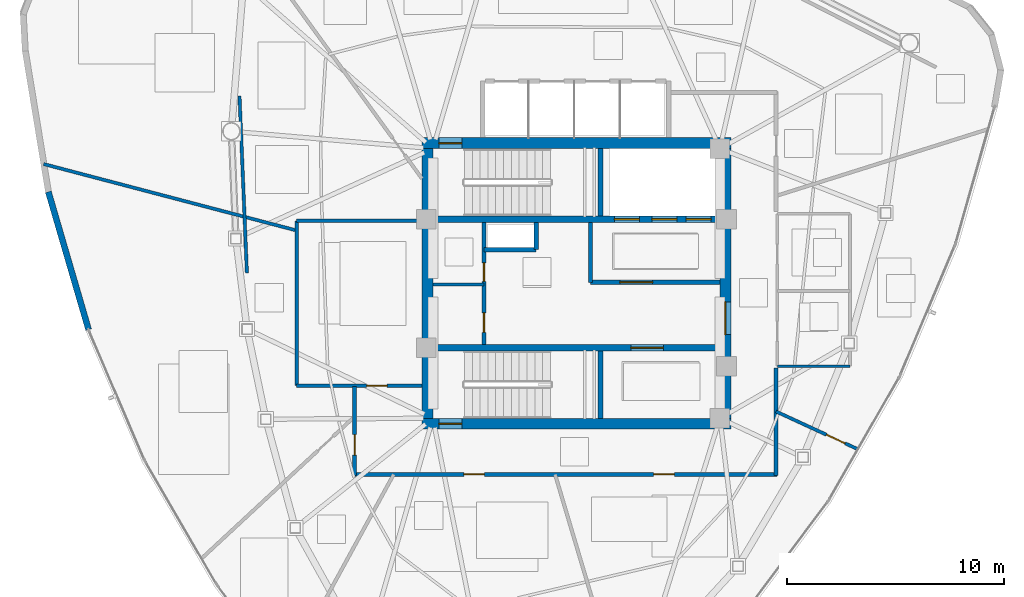
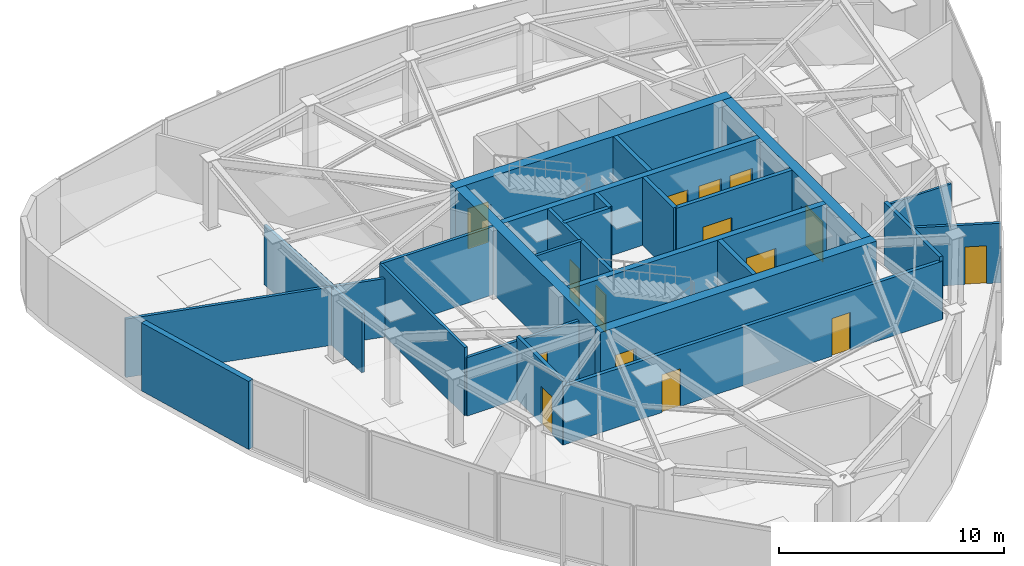
# One storey, part 8 of 12: 25 walls, 15 doors, 15 openings.
"""IFC4 building model written with IfcOpenShell, lengths in metres."""

import ifcopenshell
import ifcopenshell.guid

model = None  # the IFC model being written
_history = None  # IfcOwnerHistory: only IFC2X3 demands one
_inside = {}  # id of a spatial element -> (the spatial element, [elements in it])
_under = {}  # id of a project, library or spatial element -> (it, [spatial elements below it])
_declared = {}  # id of a project -> (the project, [libraries it declares])
_typed = {}  # id of a type object -> (the type object, [elements of that type])
_made_of = {}  # id of a material, layer set ... -> (it, [elements and type objects made of it])


def new_model(schema):
    """Start an empty IFC model of exactly this schema.

    Asked for "IFC4X3", IfcOpenShell would pick the latest addendum, in which some entities
    have other attributes; the version numbers below select the first issue.
    IFC2X3 requires an IfcOwnerHistory on every rooted entity: one is made here for all.
    """
    global model, _history
    if schema == "IFC4X3":
        model = ifcopenshell.file(schema_version=(4, 3, 0, 0))
    else:
        model = ifcopenshell.file(schema=schema)
    _inside.clear()
    _under.clear()
    _declared.clear()
    _typed.clear()
    _made_of.clear()
    _history = None
    if model.schema == "IFC2X3":
        org = make("IfcOrganization", Name="unknown")
        user = make(
            "IfcPersonAndOrganization",
            ThePerson=make("IfcPerson", FamilyName="unknown"),
            TheOrganization=org,
        )
        app = make(
            "IfcApplication",
            ApplicationDeveloper=org,
            Version="unknown",
            ApplicationFullName="unknown",
            ApplicationIdentifier="unknown",
        )
        _history = make(
            "IfcOwnerHistory",
            OwningUser=user,
            OwningApplication=app,
            ChangeAction="ADDED",
            CreationDate=0,
        )
    return model


def make(cls, **values):
    """One entity of the class cls with the attributes given. An attribute that is None is left unset."""
    return model.create_entity(
        cls, **{name: value for name, value in values.items() if value is not None}
    )


def rooted(cls, **values):
    """An entity with a GlobalId (a new one), such as an element, a storey or a relation."""
    return make(cls, GlobalId=ifcopenshell.guid.new(), OwnerHistory=_history, **values)


def si_unit(unit_type, name, prefix=None):
    """IfcSIUnit, for example si_unit("LENGTHUNIT", "METRE", prefix="MILLI")."""
    return make("IfcSIUnit", UnitType=unit_type, Prefix=prefix, Name=name)


def assignment(units):
    """IfcUnitAssignment: the units of a project."""
    return None if units is None else make("IfcUnitAssignment", Units=units)


def point(xyz):
    """IfcCartesianPoint."""
    return None if xyz is None else make("IfcCartesianPoint", Coordinates=xyz)


def direction(xyz):
    """IfcDirection."""
    return None if xyz is None else make("IfcDirection", DirectionRatios=xyz)


def frame(location, z_axis=None, x_axis=None):
    """IfcAxis2Placement3D, a coordinate frame: its origin and axes. An axis left out is left unset."""
    return make(
        "IfcAxis2Placement3D",
        Location=point(location),
        Axis=direction(z_axis),
        RefDirection=direction(x_axis),
    )


def frame_2d(location, x_axis=None):
    """IfcAxis2Placement2D, a coordinate frame in the plane: its origin and x axis."""
    return make(
        "IfcAxis2Placement2D", Location=point(location), RefDirection=direction(x_axis)
    )


def origin():
    """The frame at (0, 0, 0) with its axes left unset."""
    return frame((0.0, 0.0, 0.0))


def place(relative_to, where):
    """IfcLocalPlacement: puts the frame where relative to a parent placement (None: the world)."""
    return make(
        "IfcLocalPlacement", PlacementRelTo=relative_to, RelativePlacement=where
    )


def context(
    kind, dimensions, precision=None, world=None, true_north=None, identifier=None
):
    """IfcGeometricRepresentationContext, for example the 3D "Model" context."""
    return make(
        "IfcGeometricRepresentationContext",
        ContextIdentifier=identifier,
        ContextType=kind,
        CoordinateSpaceDimension=dimensions,
        Precision=precision,
        WorldCoordinateSystem=world,
        TrueNorth=true_north,
    )


def subcontext(parent, identifier, kind, view, scale=None):
    """IfcGeometricRepresentationSubContext, for example "Body" below "Model"."""
    return make(
        "IfcGeometricRepresentationSubContext",
        ContextIdentifier=identifier,
        ContextType=kind,
        ParentContext=parent,
        TargetScale=scale,
        TargetView=view,
    )


def project(units=None, contexts=None):
    """IfcProject with its units and contexts."""
    return rooted(
        "IfcProject",
        Name="project",
        RepresentationContexts=contexts,
        UnitsInContext=assignment(units),
    )


def spatial(cls, under=None, at=None, **own):
    """A site, building, storey or space (cls), placed at a placement, below another one or the project."""
    s = rooted(cls, ObjectPlacement=at, **own)
    if under is not None:
        _under.setdefault(under.id(), (under, []))[1].append(s)
    return s


def profile(cls, at=None, kind="AREA", **sizes):
    """A parametric profile (cls). Its sizes go by their IFC names, for example OverallWidth=200.0."""
    return make(cls, ProfileType=kind, Position=at, **sizes)


def rectangle(**sizes):
    """IfcRectangleProfileDef."""
    return profile("IfcRectangleProfileDef", **sizes)


def extrude(swept, where, along, depth):
    """IfcExtrudedAreaSolid: the profile swept, set in the frame where, extruded along a direction by depth."""
    return make(
        "IfcExtrudedAreaSolid",
        SweptArea=swept,
        Position=where,
        ExtrudedDirection=direction(along),
        Depth=depth,
    )


def shape(context_of_items, identifier, shape_type, items):
    """IfcShapeRepresentation: the items that make up one representation, for example the "Body"."""
    return make(
        "IfcShapeRepresentation",
        ContextOfItems=context_of_items,
        RepresentationIdentifier=identifier,
        RepresentationType=shape_type,
        Items=items,
    )


def material(Name=None, Category=None):
    """IfcMaterial."""
    return make("IfcMaterial", Name=Name, Category=Category)


def layer(
    of_material, thickness, ventilated=None, Name=None, Category=None, Priority=None
):
    """IfcMaterialLayer: one layer of a wall or slab, of a material (None: an air gap)."""
    return make(
        "IfcMaterialLayer",
        Material=of_material,
        LayerThickness=thickness,
        IsVentilated=ventilated,
        Name=Name,
        Category=Category,
        Priority=Priority,
    )


def layer_set(layers, Name=None):
    """IfcMaterialLayerSet."""
    return make("IfcMaterialLayerSet", MaterialLayers=layers, LayerSetName=Name)


def made_of(thing, what):
    """Note that an element or type object is made of a material, layer set ...; save() writes the relation."""
    if what is not None:
        _made_of.setdefault(what.id(), (what, []))[1].append(thing)
    return thing


def type_object(cls, material=None, **own):
    """A type object (cls), such as IfcWallType, which elements share."""
    return made_of(rooted(cls, **own), material)


def element(
    cls,
    number,
    at=None,
    inside=None,
    cuts=None,
    type_object=None,
    material=None,
    context=None,
    identifier="Body",
    shape_type=None,
    held_by="IfcProductDefinitionShape",
    body=None,
    shapes=None,
    **own,
):
    """One element of the class cls, such as IfcWall. Its Tag is "e" and its number.

    at: its placement. inside: the storey or other place that contains it. cuts: it is an
    opening in that element (IfcRelVoidsElement). A single representation is given by context,
    identifier, shape_type and body (its items); several are given by shapes. held_by: the class
    of the entity that holds the representations. save() writes the other relations.
    """
    e = rooted(cls, Tag="e%d" % number, ObjectPlacement=at, **own)
    if body is not None:
        shapes = [shape(context, identifier, shape_type, body)]
    if shapes is not None:
        e.Representation = make(held_by, Representations=shapes)
    if inside is not None:
        _inside.setdefault(inside.id(), (inside, []))[1].append(e)
    if cuts is not None:
        rooted(
            "IfcRelVoidsElement", RelatingBuildingElement=cuts, RelatedOpeningElement=e
        )
    if type_object is not None:
        _typed.setdefault(type_object.id(), (type_object, []))[1].append(e)
    return made_of(e, material)


def fill(opening, filler):
    """IfcRelFillsElement: the door or window that sits in an opening."""
    return rooted(
        "IfcRelFillsElement",
        RelatingOpeningElement=opening,
        RelatedBuildingElement=filler,
    )


def aggregate(whole, parts):
    """IfcRelAggregates: a whole, such as a stair, and the parts it consists of."""
    return rooted("IfcRelAggregates", RelatingObject=whole, RelatedObjects=parts)


def save(model, path):
    """Write the relations noted so far, then the file.

    IfcRelAggregates (storeys below a building ...), IfcRelContainedInSpatialStructure (elements
    in a storey), IfcRelDefinesByType, IfcRelAssociatesMaterial and IfcRelDeclares: one each for
    every whole, place, type object, material and project.
    """
    for whole, parts in _under.values():
        aggregate(whole, parts)
    for where, things in _inside.values():
        rooted(
            "IfcRelContainedInSpatialStructure",
            RelatedElements=things,
            RelatingStructure=where,
        )
    for kind, things in _typed.values():
        rooted("IfcRelDefinesByType", RelatedObjects=things, RelatingType=kind)
    for what, things in _made_of.values():
        rooted("IfcRelAssociatesMaterial", RelatedObjects=things, RelatingMaterial=what)
    for by, libraries in _declared.values():
        rooted("IfcRelDeclares", RelatingContext=by, RelatedDefinitions=libraries)
    model.write(path)


model = new_model("IFC4")

# Units and contexts
model_context = context("Model", 3, precision=1e-05, world=origin(), true_north=direction((0.0, 1.0)))
body_context = subcontext(model_context, "Body", "Model", "MODEL_VIEW")
ifc_project = project(units=[si_unit("LENGTHUNIT", "METRE"), si_unit("AREAUNIT", "SQUARE_METRE"), si_unit("VOLUMEUNIT", "CUBIC_METRE"), si_unit("PLANEANGLEUNIT", "RADIAN"), si_unit("MASSUNIT", "GRAM", prefix="KILO")], contexts=[model_context])

# Site, building, storey
site_placement = place(None, origin())
site = spatial("IfcSite", under=ifc_project, at=site_placement, CompositionType="ELEMENT")
building_placement = place(site_placement, origin())
building = spatial("IfcBuilding", under=site, at=building_placement, Name="Tavelor Broadcast Tower", CompositionType="ELEMENT")
storey_placement = place(building_placement, frame((0.0, 0.0, 281.5)))
storey = spatial("IfcBuildingStorey", under=building, at=storey_placement, Name="L67", CompositionType="ELEMENT", Elevation=281.5)

# Wall, opening, door
ifc_material_1 = material(Name="Concrete C50/60", Category="concrete")
ifc_layer_1 = layer(ifc_material_1, 0.5)
ifc_layer_set_1 = layer_set([ifc_layer_1], Name="Concrete C50/60")
wall_type_1 = type_object("IfcWallType", Name="Core Shear Wall 500 mm", PredefinedType="SHEAR", material=ifc_layer_set_1)
wall_1_placement = place(storey_placement, frame((42.89990234375, 51.449951171875, 0.0), z_axis=(0.0, 0.0, 1.0), x_axis=(1.0, 0.0, 0.0)))
wall_1 = element("IfcWall", 1, at=wall_1_placement, inside=storey, type_object=wall_type_1, Name="L67 Central Core Shear Wall N", PredefinedType="SHEAR", context=body_context, shape_type="SweptSolid", body=[
    extrude(rectangle(XDim=14.2001953125, YDim=0.5, at=frame_2d((7.10009765625, 0.0))), origin(), (0.0, 0.0, 1.0), 3.699951171875),
])
opening_1_placement = place(wall_1_placement, frame((0.780029296875, 0.0, 0.0)))
opening_1 = element("IfcOpeningElement", 2, at=opening_1_placement, cuts=wall_1, Name="Opening DR11", PredefinedType="OPENING", context=body_context, shape_type="SweptSolid", body=[
    extrude(rectangle(XDim=1.050048828125, YDim=2.199951171875, at=frame_2d((0.52490234375, 1.10009765625))), frame((0.0, 0.260009765625, 0.0), z_axis=(0.0, -1.0, 0.0), x_axis=(1.0, 0.0, 0.0)), (0.0, 0.0, 1.0), 0.52001953125),
])
ifc_material_2 = material(Name="Steel S355", Category="steel")
door_type_1 = type_object("IfcDoorType", Name="Stair Core Fire Escape Door 1050x2200", OperationType="NOTDEFINED", PredefinedType="DOOR", material=ifc_material_2)
door_1_placement = place(opening_1_placement, origin())
door_1 = element("IfcDoor", 3, at=door_1_placement, inside=storey, type_object=door_type_1, Name="L67 Stair ST1 Protected Exit Door", OperationType="SINGLE_SWING_LEFT", OverallHeight=2.199951171875, OverallWidth=1.050048828125, PredefinedType="DOOR", context=body_context, shape_type="SweptSolid", body=[
    extrude(rectangle(XDim=1.050048828125, YDim=2.199951171875, at=frame_2d((0.52490234375, 1.10009765625))), frame((0.0, 0.02490234375, 0.0), z_axis=(0.0, -1.0, 0.0), x_axis=(1.0, 0.0, 0.0)), (0.0, 0.0, 1.0), 0.050048828125),
])
fill(opening_1, door_1)

wall_2_placement = place(storey_placement, frame((42.89990234375, 38.550048828125, 0.0), z_axis=(0.0, 0.0, 1.0), x_axis=(1.0, 0.0, 0.0)))
wall_2 = element("IfcWall", 4, at=wall_2_placement, inside=storey, type_object=wall_type_1, Name="L67 Central Core Shear Wall S", PredefinedType="SHEAR", context=body_context, shape_type="SweptSolid", body=[
    extrude(rectangle(XDim=14.2001953125, YDim=0.5, at=frame_2d((7.10009765625, 0.0))), origin(), (0.0, 0.0, 1.0), 3.699951171875),
])
opening_2_placement = place(wall_2_placement, frame((0.780029296875, 0.0, 0.0)))
opening_2 = element("IfcOpeningElement", 5, at=opening_2_placement, cuts=wall_2, Name="Opening DR11", PredefinedType="OPENING", context=body_context, shape_type="SweptSolid", body=[
    extrude(rectangle(XDim=1.050048828125, YDim=2.199951171875, at=frame_2d((0.52490234375, 1.10009765625))), frame((0.0, 0.260009765625, 0.0), z_axis=(0.0, -1.0, 0.0), x_axis=(1.0, 0.0, 0.0)), (0.0, 0.0, 1.0), 0.52001953125),
])
door_2_placement = place(opening_2_placement, origin())
door_2 = element("IfcDoor", 6, at=door_2_placement, inside=storey, type_object=door_type_1, Name="L67 Stair ST2 Protected Exit Door", OperationType="SINGLE_SWING_RIGHT", OverallHeight=2.199951171875, OverallWidth=1.050048828125, PredefinedType="DOOR", context=body_context, shape_type="SweptSolid", body=[
    extrude(rectangle(XDim=1.050048828125, YDim=2.199951171875, at=frame_2d((0.52490234375, 1.10009765625))), frame((0.0, 0.02490234375, 0.0), z_axis=(0.0, -1.0, 0.0), x_axis=(1.0, 0.0, 0.0)), (0.0, 0.0, 1.0), 0.050048828125),
])
fill(opening_2, door_2)

# Wall
wall_3_placement = place(storey_placement, frame((43.14990234375, 38.800048828125, 0.0), z_axis=(0.0, 0.0, 1.0), x_axis=(0.0, 1.0, 0.0)))
element("IfcWall", 7, at=wall_3_placement, inside=storey, type_object=wall_type_1, Name="L67 Central Core Shear Wall W", PredefinedType="SHEAR", context=body_context, shape_type="SweptSolid", body=[
    extrude(rectangle(XDim=12.39990234375, YDim=0.5, at=frame_2d((6.199951171875, 0.0))), origin(), (0.0, 0.0, 1.0), 3.699951171875),
])

# Wall, opening, door
wall_4_placement = place(storey_placement, frame((56.85009765625, 38.800048828125, 0.0), z_axis=(0.0, 0.0, 1.0), x_axis=(0.0, 1.0, 0.0)))
wall_4 = element("IfcWall", 8, at=wall_4_placement, inside=storey, type_object=wall_type_1, Name="L67 Central Core Shear Wall E", PredefinedType="SHEAR", context=body_context, shape_type="SweptSolid", body=[
    extrude(rectangle(XDim=12.39990234375, YDim=0.5, at=frame_2d((6.199951171875, 0.0))), origin(), (0.0, 0.0, 1.0), 3.699951171875),
])
opening_3_placement = place(wall_4_placement, frame((3.85009765625, 0.0, 0.0)))
opening_3 = element("IfcOpeningElement", 9, at=opening_3_placement, cuts=wall_4, Name="Opening DR14", PredefinedType="OPENING", context=body_context, shape_type="SweptSolid", body=[
    extrude(rectangle(XDim=1.5, YDim=2.199951171875, at=frame_2d((0.75, 1.10009765625))), frame((0.0, 0.260009765625, 0.0), z_axis=(0.0, -1.0, 0.0), x_axis=(1.0, 0.0, 0.0)), (0.0, 0.0, 1.0), 0.52001953125),
])
door_type_2 = type_object("IfcDoorType", Name="Firefighting Lobby Double Fire Door 1500x2200", OperationType="NOTDEFINED", PredefinedType="DOOR", material=ifc_material_2)
door_3_placement = place(opening_3_placement, origin())
door_3 = element("IfcDoor", 10, at=door_3_placement, inside=storey, type_object=door_type_2, Name="L67 Central Core Lobby Fire Door", OperationType="SINGLE_SWING_RIGHT", OverallHeight=2.199951171875, OverallWidth=1.5, PredefinedType="DOOR", context=body_context, shape_type="SweptSolid", body=[
    extrude(rectangle(XDim=1.5, YDim=2.199951171875, at=frame_2d((0.75, 1.10009765625))), frame((0.0, 0.02490234375, 0.0), z_axis=(0.0, -1.0, 0.0), x_axis=(1.0, 0.0, 0.0)), (0.0, 0.0, 1.0), 0.050048828125),
])
fill(opening_3, door_3)

# Wall, openings, doors
ifc_layer_2 = layer(ifc_material_1, 0.300048828125)
ifc_layer_set_2 = layer_set([ifc_layer_2], Name="Concrete C50/60")
wall_type_2 = type_object("IfcWallType", Name="Core Spine Shear Wall 300 mm C50", PredefinedType="SHEAR", material=ifc_layer_set_2)
wall_5_placement = place(storey_placement, frame((43.39990234375, 47.949951171875, 0.0), z_axis=(0.0, 0.0, 1.0), x_axis=(1.0, 0.0, 0.0)))
wall_5 = element("IfcWall", 11, at=wall_5_placement, inside=storey, type_object=wall_type_2, Name="L67 Central Core Shear Wall SP1", PredefinedType="SHEAR", context=body_context, shape_type="SweptSolid", body=[
    extrude(rectangle(XDim=13.2001953125, YDim=0.300048828125, at=frame_2d((6.60009765625, 0.0))), origin(), (0.0, 0.0, 1.0), 3.699951171875),
])
opening_4_placement = place(wall_5_placement, frame((8.344970703125, 0.0, 0.0)))
opening_4 = element("IfcOpeningElement", 12, at=opening_4_placement, cuts=wall_5, Name="Opening LD02", PredefinedType="OPENING", context=body_context, shape_type="SweptSolid", body=[
    extrude(rectangle(XDim=1.14990234375, YDim=2.199951171875, at=frame_2d((0.574951171875, 1.10009765625))), frame((0.0, 0.16015625, 0.0), z_axis=(0.0, -1.0, 0.0), x_axis=(1.0, 0.0, 0.0)), (0.0, 0.0, 1.0), 0.320068359375),
])
opening_5_placement = place(wall_5_placement, frame((10.06494140625, 0.0, 0.0)))
opening_5 = element("IfcOpeningElement", 13, at=opening_5_placement, cuts=wall_5, Name="Opening LD02", PredefinedType="OPENING", context=body_context, shape_type="SweptSolid", body=[
    extrude(rectangle(XDim=1.14990234375, YDim=2.199951171875, at=frame_2d((0.574951171875, 1.10009765625))), frame((0.0, 0.16015625, 0.0), z_axis=(0.0, -1.0, 0.0), x_axis=(1.0, 0.0, 0.0)), (0.0, 0.0, 1.0), 0.320068359375),
])
opening_6_placement = place(wall_5_placement, frame((11.64501953125, 0.0, 0.0)))
opening_6 = element("IfcOpeningElement", 14, at=opening_6_placement, cuts=wall_5, Name="Opening LD03", PredefinedType="OPENING", context=body_context, shape_type="SweptSolid", body=[
    extrude(rectangle(XDim=1.14990234375, YDim=2.199951171875, at=frame_2d((0.574951171875, 1.10009765625))), frame((0.0, 0.16015625, 0.0), z_axis=(0.0, -1.0, 0.0), x_axis=(1.0, 0.0, 0.0)), (0.0, 0.0, 1.0), 0.320068359375),
])
ifc_material_3 = material(Name="Reinforced Brushed Stainless Steel", Category="concrete")
door_type_3 = type_object("IfcDoorType", Name="Broadcast Goods Lift Sliding Landing Door 1250x2200", OperationType="NOTDEFINED", PredefinedType="DOOR", material=ifc_material_3)
door_4_placement = place(opening_6_placement, origin())
door_4 = element("IfcDoor", 15, at=door_4_placement, inside=storey, type_object=door_type_3, Name="L67 Lift SVL1 Sliding Landing Door", OperationType="SLIDING_TO_LEFT", OverallHeight=2.199951171875, OverallWidth=1.14990234375, PredefinedType="DOOR", context=body_context, shape_type="SweptSolid", body=[
    extrude(rectangle(XDim=1.14990234375, YDim=2.199951171875, at=frame_2d((0.574951171875, 1.10009765625))), frame((0.0, 0.02490234375, 0.0), z_axis=(0.0, -1.0, 0.0), x_axis=(1.0, 0.0, 0.0)), (0.0, 0.0, 1.0), 0.050048828125),
])
fill(opening_6, door_4)
ifc_material_4 = material(Name="Fire-Rated Stainless Steel", Category="steel")
door_type_4 = type_object("IfcDoorType", Name="Firefighting Lift Sliding Landing Door 1200x2200", OperationType="NOTDEFINED", PredefinedType="DOOR", material=ifc_material_4)
door_5_placement = place(opening_4_placement, origin())
door_5 = element("IfcDoor", 16, at=door_5_placement, inside=storey, type_object=door_type_4, Name="L67 Lift FFL1 Sliding Landing Door", OperationType="SLIDING_TO_LEFT", OverallHeight=2.199951171875, OverallWidth=1.14990234375, PredefinedType="DOOR", context=body_context, shape_type="SweptSolid", body=[
    extrude(rectangle(XDim=1.14990234375, YDim=2.199951171875, at=frame_2d((0.574951171875, 1.10009765625))), frame((0.0, 0.02490234375, 0.0), z_axis=(0.0, -1.0, 0.0), x_axis=(1.0, 0.0, 0.0)), (0.0, 0.0, 1.0), 0.050048828125),
])
fill(opening_4, door_5)
door_6_placement = place(opening_5_placement, origin())
door_6 = element("IfcDoor", 17, at=door_6_placement, inside=storey, type_object=door_type_4, Name="L67 Lift FFL2 Sliding Landing Door", OperationType="SLIDING_TO_LEFT", OverallHeight=2.199951171875, OverallWidth=1.14990234375, PredefinedType="DOOR", context=body_context, shape_type="SweptSolid", body=[
    extrude(rectangle(XDim=1.14990234375, YDim=2.199951171875, at=frame_2d((0.574951171875, 1.10009765625))), frame((0.0, 0.02490234375, 0.0), z_axis=(0.0, -1.0, 0.0), x_axis=(1.0, 0.0, 0.0)), (0.0, 0.0, 1.0), 0.050048828125),
])
fill(opening_5, door_6)

# Wall, opening, door
wall_6_placement = place(storey_placement, frame((43.39990234375, 42.050048828125, 0.0), z_axis=(0.0, 0.0, 1.0), x_axis=(1.0, 0.0, 0.0)))
wall_6 = element("IfcWall", 18, at=wall_6_placement, inside=storey, type_object=wall_type_2, Name="L67 Central Core Shear Wall SP2", PredefinedType="SHEAR", context=body_context, shape_type="SweptSolid", body=[
    extrude(rectangle(XDim=13.2001953125, YDim=0.300048828125, at=frame_2d((6.60009765625, 0.0))), origin(), (0.0, 0.0, 1.0), 3.699951171875),
])
opening_7_placement = place(wall_6_placement, frame((9.10009765625, 0.0, 0.0)))
opening_7 = element("IfcOpeningElement", 19, at=opening_7_placement, cuts=wall_6, Name="Opening DR14", PredefinedType="OPENING", context=body_context, shape_type="SweptSolid", body=[
    extrude(rectangle(XDim=1.5, YDim=2.199951171875, at=frame_2d((0.75, 1.10009765625))), frame((0.0, 0.16015625, 0.0), z_axis=(0.0, -1.0, 0.0), x_axis=(1.0, 0.0, 0.0)), (0.0, 0.0, 1.0), 0.320068359375),
])
door_7_placement = place(opening_7_placement, origin())
door_7 = element("IfcDoor", 20, at=door_7_placement, inside=storey, type_object=door_type_2, Name="L67 Reclaimed South Core Vestibule Door", OperationType="SINGLE_SWING_RIGHT", OverallHeight=2.199951171875, OverallWidth=1.5, PredefinedType="DOOR", context=body_context, shape_type="SweptSolid", body=[
    extrude(rectangle(XDim=1.5, YDim=2.199951171875, at=frame_2d((0.75, 1.10009765625))), frame((0.0, 0.02490234375, 0.0), z_axis=(0.0, -1.0, 0.0), x_axis=(1.0, 0.0, 0.0)), (0.0, 0.0, 1.0), 0.050048828125),
])
fill(opening_7, door_7)

# Wall, openings, doors
ifc_material_5 = material(Name="Calcium Silicate Fire Board 180 mm", Category="gypsum")
ifc_layer_3 = layer(ifc_material_5, 0.179931640625)
ifc_layer_set_3 = layer_set([ifc_layer_3], Name="Calcium Silicate Fire Board 180 mm")
wall_type_3 = type_object("IfcWallType", Name="Fire-Rated Corridor Partition Wall 180 mm", PredefinedType="PARTITIONING", material=ifc_layer_set_3)
wall_7_placement = place(storey_placement, frame((45.75, 42.199951171875, 0.0), z_axis=(0.0, 0.0, 1.0), x_axis=(0.0, 1.0, 0.0)))
wall_7 = element("IfcWall", 21, at=wall_7_placement, inside=storey, type_object=wall_type_3, Name="L67 Core West Service East Wall", PredefinedType="PARTITIONING", context=body_context, shape_type="SweptSolid", body=[
    extrude(rectangle(XDim=5.60009765625, YDim=0.179931640625, at=frame_2d((2.800048828125, 0.0))), origin(), (0.0, 0.0, 1.0), 3.699951171875),
])
opening_8_placement = place(wall_7_placement, frame((0.550048828125, 0.0, 0.0)))
opening_8 = element("IfcOpeningElement", 22, at=opening_8_placement, cuts=wall_7, Name="Opening DR32", PredefinedType="OPENING", context=body_context, shape_type="SweptSolid", body=[
    extrude(rectangle(XDim=0.89990234375, YDim=2.050048828125, at=frame_2d((0.449951171875, 1.02490234375))), frame((0.0, 0.10009765625, 0.0), z_axis=(0.0, -1.0, 0.0), x_axis=(1.0, 0.0, 0.0)), (0.0, 0.0, 1.0), 0.199951171875),
])
opening_9_placement = place(wall_7_placement, frame((2.89990234375, 0.0, 0.0)))
opening_9 = element("IfcOpeningElement", 23, at=opening_9_placement, cuts=wall_7, Name="Opening DR36", PredefinedType="OPENING", context=body_context, shape_type="SweptSolid", body=[
    extrude(rectangle(XDim=0.85009765625, YDim=2.050048828125, at=frame_2d((0.425048828125, 1.02490234375))), frame((0.0, 0.10009765625, 0.0), z_axis=(0.0, -1.0, 0.0), x_axis=(1.0, 0.0, 0.0)), (0.0, 0.0, 1.0), 0.199951171875),
])
ifc_material_6 = material(Name="Timber Solid Core Hardwood", Category="wood")
door_type_5 = type_object("IfcDoorType", Name="Accessible Washroom Door 900x2050", OperationType="NOTDEFINED", PredefinedType="DOOR", material=ifc_material_6)
door_8_placement = place(opening_8_placement, origin())
door_8 = element("IfcDoor", 24, at=door_8_placement, inside=storey, type_object=door_type_5, Name="L67 Core Accessible WC Door", OperationType="SINGLE_SWING_LEFT", OverallHeight=2.050048828125, OverallWidth=0.89990234375, PredefinedType="DOOR", context=body_context, shape_type="SweptSolid", body=[
    extrude(rectangle(XDim=0.89990234375, YDim=2.050048828125, at=frame_2d((0.449951171875, 1.02490234375))), frame((0.0, 0.02490234375, 0.0), z_axis=(0.0, -1.0, 0.0), x_axis=(1.0, 0.0, 0.0)), (0.0, 0.0, 1.0), 0.050048828125),
])
fill(opening_8, door_8)
door_type_6 = type_object("IfcDoorType", Name="Service Room Fire Door 850x2050", OperationType="NOTDEFINED", PredefinedType="DOOR", material=ifc_material_2)
door_9_placement = place(opening_9_placement, origin())
door_9 = element("IfcDoor", 25, at=door_9_placement, inside=storey, type_object=door_type_6, Name="L67 Core Cleaner Store Door", OperationType="SINGLE_SWING_RIGHT", OverallHeight=2.050048828125, OverallWidth=0.85009765625, PredefinedType="DOOR", context=body_context, shape_type="SweptSolid", body=[
    extrude(rectangle(XDim=0.85009765625, YDim=2.050048828125, at=frame_2d((0.425048828125, 1.02490234375))), frame((0.0, 0.02490234375, 0.0), z_axis=(0.0, -1.0, 0.0), x_axis=(1.0, 0.0, 0.0)), (0.0, 0.0, 1.0), 0.050048828125),
])
fill(opening_9, door_9)

# Wall
wall_8_placement = place(storey_placement, frame((59.179931640625, 41.10009765625, 0.0), z_axis=(0.0, 0.0, 1.0), x_axis=(0.0, -1.0, 0.0)))
element("IfcWall", 26, at=wall_8_placement, inside=storey, type_object=wall_type_3, Name="L67 Corridor Compartment Wall 03", PredefinedType="PARTITIONING", context=body_context, shape_type="SweptSolid", body=[
    extrude(rectangle(XDim=4.93017578125, YDim=0.179931640625, at=frame_2d((2.465087890625, 0.0))), origin(), (0.0, 0.0, 1.0), 3.43505859375),
])

# Wall, openings, doors
wall_9_placement = place(storey_placement, frame((59.22998046875, 36.219970703125, 0.0), z_axis=(0.0, 0.0, 1.0), x_axis=(-1.0, 0.0, 0.0)))
wall_9 = element("IfcWall", 27, at=wall_9_placement, inside=storey, type_object=wall_type_3, Name="L67 Corridor Compartment Wall 04", PredefinedType="PARTITIONING", context=body_context, shape_type="SweptSolid", body=[
    extrude(rectangle(XDim=19.47998046875, YDim=0.179931640625, at=frame_2d((9.739990234375, 0.0))), origin(), (0.0, 0.0, 1.0), 3.175048828125),
])
opening_10_placement = place(wall_9_placement, frame((4.73095703125, 0.0, 0.0)))
opening_10 = element("IfcOpeningElement", 28, at=opening_10_placement, cuts=wall_9, Name="Opening DR18", PredefinedType="OPENING", context=body_context, shape_type="SweptSolid", body=[
    extrude(rectangle(XDim=0.949951171875, YDim=2.050048828125, at=frame_2d((0.47509765625, 1.02490234375))), frame((0.0, 0.10009765625, 0.0), z_axis=(0.0, -1.0, 0.0), x_axis=(1.0, 0.0, 0.0)), (0.0, 0.0, 1.0), 0.199951171875),
])
opening_11_placement = place(wall_9_placement, frame((13.45751953125, 0.0, 0.0)))
opening_11 = element("IfcOpeningElement", 29, at=opening_11_placement, cuts=wall_9, Name="Opening DR18", PredefinedType="OPENING", context=body_context, shape_type="SweptSolid", body=[
    extrude(rectangle(XDim=0.949951171875, YDim=2.050048828125, at=frame_2d((0.47509765625, 1.02490234375))), frame((0.0, 0.10009765625, 0.0), z_axis=(0.0, -1.0, 0.0), x_axis=(1.0, 0.0, 0.0)), (0.0, 0.0, 1.0), 0.199951171875),
])
door_type_7 = type_object("IfcDoorType", Name="Corridor Rated Compartment Door 950x2050", OperationType="NOTDEFINED", PredefinedType="DOOR", material=ifc_material_6)
door_10_placement = place(opening_10_placement, origin())
door_10 = element("IfcDoor", 30, at=door_10_placement, inside=storey, type_object=door_type_7, Name="L67 Media Content Workshop Door R1", OperationType="SINGLE_SWING_LEFT", OverallHeight=2.050048828125, OverallWidth=0.949951171875, PredefinedType="DOOR", context=body_context, shape_type="SweptSolid", body=[
    extrude(rectangle(XDim=0.949951171875, YDim=2.050048828125, at=frame_2d((0.47509765625, 1.02490234375))), frame((0.0, 0.02490234375, 0.0), z_axis=(0.0, -1.0, 0.0), x_axis=(1.0, 0.0, 0.0)), (0.0, 0.0, 1.0), 0.050048828125),
])
fill(opening_10, door_10)
door_11_placement = place(opening_11_placement, origin())
door_11 = element("IfcDoor", 31, at=door_11_placement, inside=storey, type_object=door_type_7, Name="L67 Broadcast Crew Room Door R7", OperationType="SINGLE_SWING_RIGHT", OverallHeight=2.050048828125, OverallWidth=0.949951171875, PredefinedType="DOOR", context=body_context, shape_type="SweptSolid", body=[
    extrude(rectangle(XDim=0.949951171875, YDim=2.050048828125, at=frame_2d((0.47509765625, 1.02490234375))), frame((0.0, 0.02490234375, 0.0), z_axis=(0.0, -1.0, 0.0), x_axis=(1.0, 0.0, 0.0)), (0.0, 0.0, 1.0), 0.050048828125),
])
fill(opening_11, door_11)

# Wall, opening, door
wall_10_placement = place(storey_placement, frame((39.800048828125, 36.169921875, 0.0), z_axis=(0.0, 0.0, 1.0), x_axis=(0.0, 1.0, 0.0)))
wall_10 = element("IfcWall", 32, at=wall_10_placement, inside=storey, type_object=wall_type_3, Name="L67 Corridor Compartment Wall 05", PredefinedType="PARTITIONING", context=body_context, shape_type="SweptSolid", body=[
    extrude(rectangle(XDim=4.080078125, YDim=0.179931640625, at=frame_2d((2.0400390625, 0.0))), origin(), (0.0, 0.0, 1.0), 3.43505859375),
])
opening_12_placement = place(wall_10_placement, frame((0.930908203125, 0.0, 0.0)))
opening_12 = element("IfcOpeningElement", 33, at=opening_12_placement, cuts=wall_10, Name="Opening DR18", PredefinedType="OPENING", context=body_context, shape_type="SweptSolid", body=[
    extrude(rectangle(XDim=0.949951171875, YDim=2.050048828125, at=frame_2d((0.47509765625, 1.02490234375))), frame((0.0, 0.10009765625, 0.0), z_axis=(0.0, -1.0, 0.0), x_axis=(1.0, 0.0, 0.0)), (0.0, 0.0, 1.0), 0.199951171875),
])
door_12_placement = place(opening_12_placement, origin())
door_12 = element("IfcDoor", 34, at=door_12_placement, inside=storey, type_object=door_type_7, Name="L67 Quiet Listening Room Door R3", OperationType="SINGLE_SWING_LEFT", OverallHeight=2.050048828125, OverallWidth=0.949951171875, PredefinedType="DOOR", context=body_context, shape_type="SweptSolid", body=[
    extrude(rectangle(XDim=0.949951171875, YDim=2.050048828125, at=frame_2d((0.47509765625, 1.02490234375))), frame((0.0, 0.02490234375, 0.0), z_axis=(0.0, -1.0, 0.0), x_axis=(1.0, 0.0, 0.0)), (0.0, 0.0, 1.0), 0.050048828125),
])
fill(opening_12, door_12)

# Walls
ifc_material_7 = material(Name="Precast Concrete C40/50", Category="concrete")
ifc_layer_4 = layer(ifc_material_7, 0.280029296875)
ifc_layer_set_4 = layer_set([ifc_layer_4], Name="Precast Concrete C40/50")
wall_type_4 = type_object("IfcWallType", Name="Insulated Precast Terracotta Facade Wall 280 mm", PredefinedType="STANDARD", material=ifc_layer_set_4)
wall_11_placement = place(storey_placement, frame((25.716064453125, 49.21337890625, 0.0), z_axis=(0.0, 0.0, 1.0), x_axis=(0.280251384435, -0.959926643823, 0.0)))
element("IfcWall", 35, at=wall_11_placement, inside=storey, type_object=wall_type_4, Name="L67 Rounded Corner Structural Cladding Pier 06", PredefinedType="STANDARD", context=body_context, shape_type="SweptSolid", body=[
    extrude(rectangle(XDim=6.6005859375, YDim=0.280029296875, at=frame_2d((3.30029296875, 0.0))), origin(), (0.0, 0.0, 1.0), 3.699951171875),
])
ifc_material_8 = material(Name="Gypsum Acoustic Plasterboard 150 mm", Category="gypsum")
ifc_layer_5 = layer(ifc_material_8, 0.14990234375)
ifc_layer_set_5 = layer_set([ifc_layer_5], Name="Gypsum Acoustic Plasterboard 150 mm")
wall_type_5 = type_object("IfcWallType", Name="Interior Acoustic Partition Wall 150 mm", PredefinedType="PARTITIONING", material=ifc_layer_set_5)
wall_12_placement = place(storey_placement, frame((43.39990234375, 44.949951171875, 0.0), z_axis=(0.0, 0.0, 1.0), x_axis=(1.0, 0.0, 0.0)))
element("IfcWall", 36, at=wall_12_placement, inside=storey, type_object=wall_type_5, Name="L67 Core Split Wall A", PredefinedType="PARTITIONING", context=body_context, shape_type="SweptSolid", body=[
    extrude(rectangle(XDim=2.35009765625, YDim=0.14990234375, at=frame_2d((1.175048828125, 0.0))), origin(), (0.0, 0.0, 1.0), 3.699951171875),
])
wall_13_placement = place(storey_placement, frame((34.50732421875, 53.61279296875, 0.0), z_axis=(0.0, 0.0, 1.0), x_axis=(0.041875090182, -0.999122853718, 0.0)))
element("IfcWall", 37, at=wall_13_placement, inside=storey, type_object=wall_type_5, Name="L67 Corner Tube Brace Furring Wall 1", PredefinedType="PARTITIONING", context=body_context, shape_type="SweptSolid", body=[
    extrude(rectangle(XDim=8.138916015625, YDim=0.14990234375, at=frame_2d((4.0693359375, 0.0))), origin(), (0.0, 0.0, 1.0), 3.235107421875),
])

# Wall, opening, door
wall_14_placement = place(storey_placement, frame((37.139892578125, 40.300048828125, 0.0), z_axis=(0.0, 0.0, 1.0), x_axis=(1.0, 0.0, 0.0)))
wall_14 = element("IfcWall", 38, at=wall_14_placement, inside=storey, type_object=wall_type_5, Name="L67 Reclaimed Shaft Pantry South Wall", PredefinedType="PARTITIONING", context=body_context, shape_type="SweptSolid", body=[
    extrude(rectangle(XDim=5.760009765625, YDim=0.14990234375, at=frame_2d((2.8798828125, 0.0))), origin(), (0.0, 0.0, 1.0), 3.175048828125),
])
opening_13_placement = place(wall_14_placement, frame((3.2099609375, 0.0, 0.0)))
opening_13 = element("IfcOpeningElement", 39, at=opening_13_placement, cuts=wall_14, Name="Opening DR18", PredefinedType="OPENING", context=body_context, shape_type="SweptSolid", body=[
    extrude(rectangle(XDim=0.949951171875, YDim=2.050048828125, at=frame_2d((0.47509765625, 1.02490234375))), frame((0.0, 0.0849609375, 0.0), z_axis=(0.0, -1.0, 0.0), x_axis=(1.0, 0.0, 0.0)), (0.0, 0.0, 1.0), 0.169921875),
])
door_13_placement = place(opening_13_placement, origin())
door_13 = element("IfcDoor", 40, at=door_13_placement, inside=storey, type_object=door_type_7, Name="L67 Broadcast IT Patch and Pantry Door", OperationType="SINGLE_SWING_LEFT", OverallHeight=2.050048828125, OverallWidth=0.949951171875, PredefinedType="DOOR", context=body_context, shape_type="SweptSolid", body=[
    extrude(rectangle(XDim=0.949951171875, YDim=2.050048828125, at=frame_2d((0.47509765625, 1.02490234375))), frame((0.0, 0.02490234375, 0.0), z_axis=(0.0, -1.0, 0.0), x_axis=(1.0, 0.0, 0.0)), (0.0, 0.0, 1.0), 0.050048828125),
])
fill(opening_13, door_13)

# Walls
wall_15_placement = place(storey_placement, frame((37.139892578125, 40.300048828125, 0.0), z_axis=(0.0, 0.0, 1.0), x_axis=(0.0, 1.0, 0.0)))
element("IfcWall", 41, at=wall_15_placement, inside=storey, type_object=wall_type_5, Name="L67 Reclaimed Shaft Pantry West Wall", PredefinedType="PARTITIONING", context=body_context, shape_type="SweptSolid", body=[
    extrude(rectangle(XDim=7.579833984375, YDim=0.14990234375, at=frame_2d((3.7900390625, 0.0))), origin(), (0.0, 0.0, 1.0), 3.699951171875),
])
wall_16_placement = place(storey_placement, frame((37.139892578125, 47.8798828125, 0.0), z_axis=(0.0, 0.0, 1.0), x_axis=(1.0, 0.0, 0.0)))
element("IfcWall", 42, at=wall_16_placement, inside=storey, type_object=wall_type_5, Name="L67 Reclaimed Shaft Pantry North Wall", PredefinedType="PARTITIONING", context=body_context, shape_type="SweptSolid", body=[
    extrude(rectangle(XDim=5.760009765625, YDim=0.14990234375, at=frame_2d((2.8798828125, 0.0))), origin(), (0.0, 0.0, 1.0), 3.699951171875),
])
wall_17_placement = place(storey_placement, frame((37.080078125, 47.447998046875, 0.0), z_axis=(0.0, 0.0, 1.0), x_axis=(-0.967185889495, 0.254069784041, 0.0)))
element("IfcWall", 43, at=wall_17_placement, inside=storey, type_object=wall_type_5, Name="L67 Radial Compartment Wall 02", PredefinedType="PARTITIONING", context=body_context, shape_type="SweptSolid", body=[
    extrude(rectangle(XDim=11.97509765625, YDim=0.14990234375, at=frame_2d((5.987548828125, 0.0))), origin(), (0.0, 0.0, 1.0), 3.175048828125),
])

# Wall, opening, door
wall_18_placement = place(storey_placement, frame((59.179931640625, 39.10986328125, 0.0), z_axis=(0.0, 0.0, 1.0), x_axis=(0.908186307476, -0.418566160735, 0.0)))
wall_18 = element("IfcWall", 44, at=wall_18_placement, inside=storey, type_object=wall_type_5, Name="L67 Radial Compartment Wall 06", PredefinedType="PARTITIONING", context=body_context, shape_type="SweptSolid", body=[
    extrude(rectangle(XDim=4.154052734375, YDim=0.14990234375, at=frame_2d((2.0771484375, 0.0))), origin(), (0.0, 0.0, 1.0), 3.235107421875),
])
opening_14_placement = place(wall_18_placement, frame((2.550048828125, 0.0, 0.0)))
opening_14 = element("IfcOpeningElement", 45, at=opening_14_placement, cuts=wall_18, Name="Opening DR18", PredefinedType="OPENING", context=body_context, shape_type="SweptSolid", body=[
    extrude(rectangle(XDim=0.949951171875, YDim=2.050048828125, at=frame_2d((0.47509765625, 1.02490234375))), frame((0.0, 0.0849609375, 0.0), z_axis=(0.0, -1.0, 0.0), x_axis=(1.0, 0.0, 0.0)), (0.0, 0.0, 1.0), 0.169921875),
])
door_14_placement = place(opening_14_placement, origin())
door_14 = element("IfcDoor", 46, at=door_14_placement, inside=storey, type_object=door_type_7, Name="L67 Suite Connecting Door 0", OperationType="SINGLE_SWING_RIGHT", OverallHeight=2.050048828125, OverallWidth=0.949951171875, PredefinedType="DOOR", context=body_context, shape_type="SweptSolid", body=[
    extrude(rectangle(XDim=0.949951171875, YDim=2.050048828125, at=frame_2d((0.47509765625, 1.02490234375))), frame((0.0, 0.02490234375, 0.0), z_axis=(0.0, -1.0, 0.0), x_axis=(1.0, 0.0, 0.0)), (0.0, 0.0, 1.0), 0.050048828125),
])
fill(opening_14, door_14)

# Walls
ifc_material_9 = material(Name="Concrete Blockwork 200 mm", Category="masonry")
ifc_layer_6 = layer(ifc_material_9, 0.199951171875)
ifc_layer_set_6 = layer_set([ifc_layer_6], Name="Concrete Blockwork 200 mm")
wall_type_6 = type_object("IfcWallType", Name="Lift and Riser Shaft Enclosure Wall 200 mm", PredefinedType="PARTITIONING", material=ifc_layer_set_6)
wall_19_placement = place(storey_placement, frame((45.75, 46.550048828125, 0.0), z_axis=(0.0, 0.0, 1.0), x_axis=(1.0, 0.0, 0.0)))
element("IfcWall", 47, at=wall_19_placement, inside=storey, type_object=wall_type_6, Name="L67 Riser Shaft South Wall", PredefinedType="PARTITIONING", context=body_context, shape_type="SweptSolid", body=[
    extrude(rectangle(XDim=2.39990234375, YDim=0.199951171875, at=frame_2d((1.199951171875, 0.0))), origin(), (0.0, 0.0, 1.0), 3.699951171875),
])
wall_20_placement = place(storey_placement, frame((48.14990234375, 46.550048828125, 0.0), z_axis=(0.0, 0.0, 1.0), x_axis=(0.0, 1.0, 0.0)))
element("IfcWall", 48, at=wall_20_placement, inside=storey, type_object=wall_type_6, Name="L67 Riser Shaft East Wall", PredefinedType="PARTITIONING", context=body_context, shape_type="SweptSolid", body=[
    extrude(rectangle(XDim=1.25, YDim=0.199951171875, at=frame_2d((0.625, 0.0))), origin(), (0.0, 0.0, 1.0), 3.699951171875),
])

# Wall, opening, door
wall_21_placement = place(storey_placement, frame((50.64990234375, 45.050048828125, 0.0), z_axis=(0.0, 0.0, 1.0), x_axis=(1.0, 0.0, 0.0)))
wall_21 = element("IfcWall", 49, at=wall_21_placement, inside=storey, type_object=wall_type_6, Name="L67 Firefighting Lobby South Wall", PredefinedType="PARTITIONING", context=body_context, shape_type="SweptSolid", body=[
    extrude(rectangle(XDim=5.9501953125, YDim=0.199951171875, at=frame_2d((2.97509765625, 0.0))), origin(), (0.0, 0.0, 1.0), 3.699951171875),
])
opening_15_placement = place(wall_21_placement, frame((1.35009765625, 0.0, 0.0)))
opening_15 = element("IfcOpeningElement", 50, at=opening_15_placement, cuts=wall_21, Name="Opening DR14", PredefinedType="OPENING", context=body_context, shape_type="SweptSolid", body=[
    extrude(rectangle(XDim=1.5, YDim=2.199951171875, at=frame_2d((0.75, 1.10009765625))), frame((0.0, 0.10986328125, 0.0), z_axis=(0.0, -1.0, 0.0), x_axis=(1.0, 0.0, 0.0)), (0.0, 0.0, 1.0), 0.219970703125),
])
door_15_placement = place(opening_15_placement, origin())
door_15 = element("IfcDoor", 51, at=door_15_placement, inside=storey, type_object=door_type_2, Name="L67 Firefighting Lobby Compartment Door", OperationType="SINGLE_SWING_LEFT", OverallHeight=2.199951171875, OverallWidth=1.5, PredefinedType="DOOR", context=body_context, shape_type="SweptSolid", body=[
    extrude(rectangle(XDim=1.5, YDim=2.199951171875, at=frame_2d((0.75, 1.10009765625))), frame((0.0, 0.02490234375, 0.0), z_axis=(0.0, -1.0, 0.0), x_axis=(1.0, 0.0, 0.0)), (0.0, 0.0, 1.0), 0.050048828125),
])
fill(opening_15, door_15)

# Walls
wall_22_placement = place(storey_placement, frame((50.64990234375, 45.050048828125, 0.0), z_axis=(0.0, 0.0, 1.0), x_axis=(0.0, 1.0, 0.0)))
element("IfcWall", 52, at=wall_22_placement, inside=storey, type_object=wall_type_6, Name="L67 Firefighting Lobby West Wall", PredefinedType="PARTITIONING", context=body_context, shape_type="SweptSolid", body=[
    extrude(rectangle(XDim=2.75, YDim=0.199951171875, at=frame_2d((1.375, 0.0))), origin(), (0.0, 0.0, 1.0), 3.699951171875),
])
ifc_material_10 = material(Name="Moisture-Resistant Plasterboard 120 mm", Category="gypsum")
ifc_layer_7 = layer(ifc_material_10, 0.1201171875)
ifc_layer_set_7 = layer_set([ifc_layer_7], Name="Moisture-Resistant Plasterboard 120 mm")
wall_type_7 = type_object("IfcWallType", Name="Moisture-Resistant Wet-Room Partition 120 mm", PredefinedType="PARTITIONING", material=ifc_layer_set_7)
wall_23_placement = place(storey_placement, frame((59.239990234375, 41.199951171875, 0.0), z_axis=(0.0, 0.0, 1.0), x_axis=(1.0, 0.0, 0.0)))
element("IfcWall", 53, at=wall_23_placement, inside=storey, type_object=wall_type_7, Name="L67 Floor Washrooms South Wall", PredefinedType="PARTITIONING", context=body_context, shape_type="SweptSolid", body=[
    extrude(rectangle(XDim=3.340087890625, YDim=0.1201171875, at=frame_2d((1.669921875, 0.0))), origin(), (0.0, 0.0, 1.0), 3.175048828125),
])
ifc_material_11 = material(Name="Concrete C40/50", Category="concrete")
ifc_layer_8 = layer(ifc_material_11, 0.219970703125)
ifc_layer_set_8 = layer_set([ifc_layer_8], Name="Concrete C40/50")
wall_type_8 = type_object("IfcWallType", Name="Structural Stairwell Shear Wall 220 mm", PredefinedType="SHEAR", material=ifc_layer_set_8)
for number, where, z_axis, x_axis, name in (
    (54, (51.110107421875, 48.10009765625, 0.0), (0.0, 0.0, 1.0), (0.0, 1.0, 0.0), "L67 Stair ST1 Structural Shaft Wall"),
    (55, (51.110107421875, 38.800048828125, 0.0), (0.0, 0.0, 1.0), (0.0, 1.0, 0.0), "L67 Stair ST2 Structural Shaft Wall"),
):
    element("IfcWall", number, at=place(storey_placement, frame(where, z_axis=z_axis, x_axis=x_axis)), inside=storey, type_object=wall_type_8, Name=name, PredefinedType="SHEAR", context=body_context, shape_type="SweptSolid", body=[
        extrude(rectangle(XDim=3.099853515625, YDim=0.219970703125, at=frame_2d((1.5498046875, 0.0))), origin(), (0.0, 0.0, 1.0), 3.699951171875),
    ])

save(model, "model.ifc")
